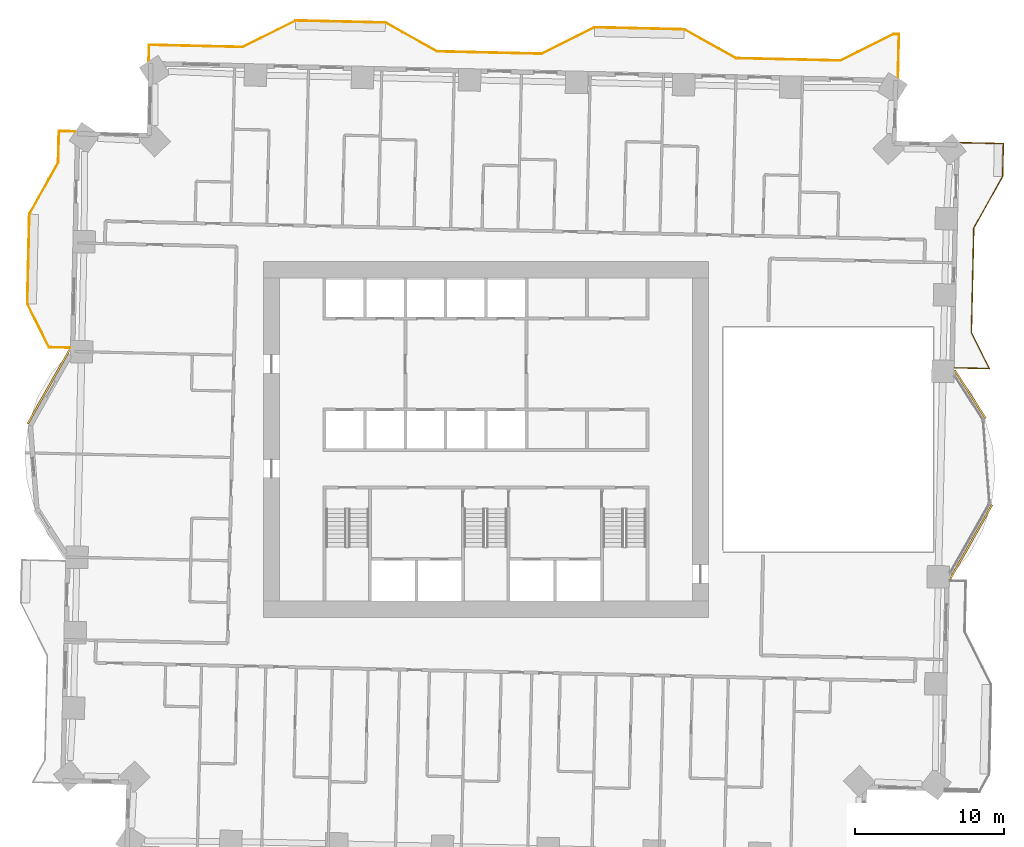
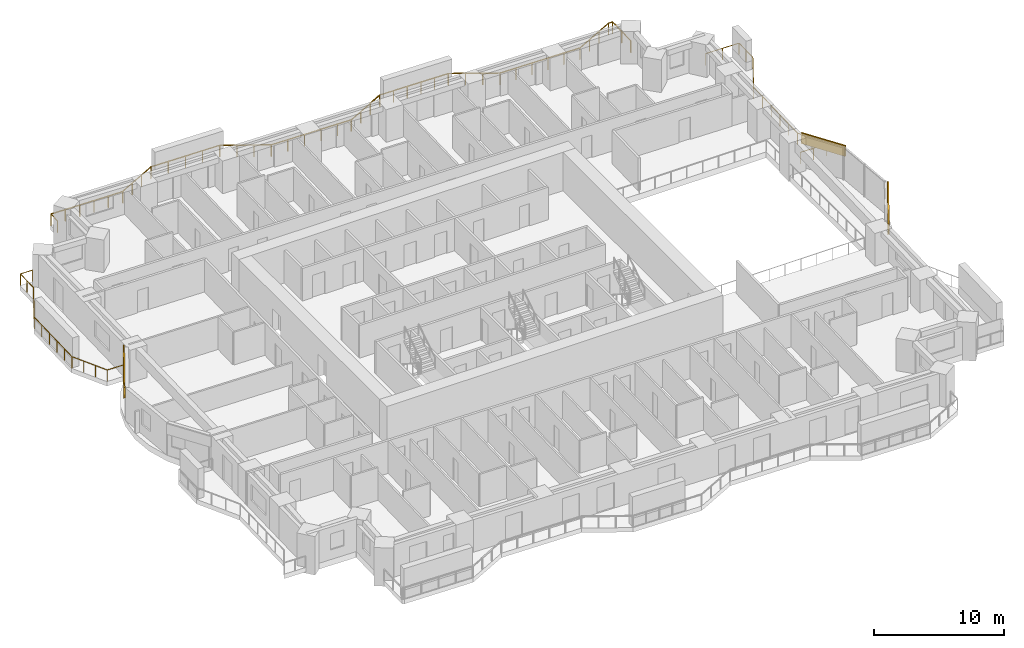
# One storey, part 20 of 20: 3 coverings, 3 railings.
"""IFC4 building model written with IfcOpenShell, lengths in metres."""

from ifc_helpers import new_model, si_unit, direction, frame, frame_2d, origin, origin_2d, place, context, subcontext, project, spatial, rectangle, extrude, material, layer, layer_set, type_object, element, save


model = new_model("IFC4")

# Units and contexts
model_context = context("Model", 3, precision=1e-05, world=origin(), true_north=direction((0.0, 1.0)))
body_context = subcontext(model_context, "Body", "Model", "MODEL_VIEW")
ifc_project = project(units=[si_unit("LENGTHUNIT", "METRE"), si_unit("AREAUNIT", "SQUARE_METRE"), si_unit("VOLUMEUNIT", "CUBIC_METRE"), si_unit("PLANEANGLEUNIT", "RADIAN"), si_unit("MASSUNIT", "GRAM", prefix="KILO")], contexts=[model_context])

# Site, building, storey
site_placement = place(None, origin())
site = spatial("IfcSite", under=ifc_project, at=site_placement, CompositionType="ELEMENT")
building_placement = place(site_placement, origin())
building = spatial("IfcBuilding", under=site, at=building_placement, Name="Mangrove Gate Tower", CompositionType="ELEMENT")
storey_placement = place(building_placement, frame((0.0, 0.0, 60.300048828125)))
storey = spatial("IfcBuildingStorey", under=building, at=storey_placement, Name="L14", CompositionType="ELEMENT", Elevation=60.300048828125)

# Railings
ifc_material_1 = material(Name="Stainless steel grade 316 with laminated glass infill", Category="steel")
railing_type = type_object("IfcRailingType", Name="Balcony guard 1100", PredefinedType="GUARDRAIL", material=ifc_material_1)
railing_1_placement = place(storey_placement, frame((31.362060546875, 4.802001953125, 0.0)))
element("IfcRailing", 1, at=railing_1_placement, inside=storey, type_object=railing_type, Name="GUARD L14 E2", PredefinedType="GUARDRAIL", context=body_context, shape_type="SweptSolid", body=[
    extrude(rectangle(XDim=0.048095703125, YDim=0.048095703125, at=origin_2d()), frame((0.0, 0.0, 1.076171875), z_axis=(0.999738230516, -0.022879476484, 0.0), x_axis=(0.022879476484, 0.999738230516, 0.0)), (0.0, 0.0, 1.0), 2.3154296875),
    extrude(rectangle(XDim=0.048095703125, YDim=0.048095703125, at=origin_2d()), frame((2.31494140625, -0.052978515625, 1.076171875), z_axis=(-0.447031829068, 0.894518051132, 0.0), x_axis=(-0.894518051132, -0.447031829068, 0.0)), (0.0, 0.0, 1.0), 2.6865234375),
    extrude(rectangle(XDim=0.048095703125, YDim=0.048095703125, at=origin_2d()), frame((1.114013671875, 2.35009765625, 1.076171875), z_axis=(0.022566906176, 0.999745334946, 0.0), x_axis=(-0.999745334946, 0.022566906176, 0.0)), (0.0, 0.0, 1.0), 6.99951171875),
    extrude(rectangle(XDim=0.048095703125, YDim=0.048095703125, at=origin_2d()), frame((1.27197265625, 9.347900390625, 1.076171875), z_axis=(0.48726008209, 0.87325689943, 0.0), x_axis=(-0.87325689943, 0.48726008209, 0.0)), (0.0, 0.0, 1.0), 3.958740234375),
    extrude(rectangle(XDim=0.048095703125, YDim=0.048095703125, at=origin_2d()), frame((3.200927734375, 12.804931640625, 1.076171875), z_axis=(0.022744087289, 0.999741319789, 0.0), x_axis=(-0.999741319789, 0.022744087289, 0.0)), (0.0, 0.0, 1.0), 2.200439453125),
    extrude(rectangle(XDim=0.048095703125, YDim=0.048095703125, at=origin_2d()), frame((3.2509765625, 15.0048828125, 1.076171875), z_axis=(-0.999749018963, 0.022403104328, 0.0), x_axis=(-0.022403104328, -0.999749018963, 0.0)), (0.0, 0.0, 1.0), 2.90966796875),
    extrude(rectangle(XDim=0.0419921875, YDim=0.0419921875, at=origin_2d()), origin(), (0.0, 0.0, 1.0), 1.052001953125),
    extrude(rectangle(XDim=0.0419921875, YDim=0.0419921875, at=origin_2d()), frame((1.157470703125, -0.0263671875, 0.0)), (0.0, 0.0, 1.0), 1.052001953125),
    extrude(rectangle(XDim=0.0419921875, YDim=0.0419921875, at=origin_2d()), frame((2.31494140625, -0.052978515625, 0.0)), (0.0, 0.0, 1.0), 1.052001953125),
    extrude(rectangle(XDim=0.0419921875, YDim=0.0419921875, at=origin_2d()), frame((1.71435546875, 1.1484375, 0.0)), (0.0, 0.0, 1.0), 1.052001953125),
    extrude(rectangle(XDim=0.0419921875, YDim=0.0419921875, at=origin_2d()), frame((1.114013671875, 2.35009765625, 0.0)), (0.0, 0.0, 1.0), 1.052001953125),
    extrude(rectangle(XDim=0.0419921875, YDim=0.0419921875, at=origin_2d()), frame((1.1455078125, 3.749755859375, 0.0)), (0.0, 0.0, 1.0), 1.052001953125),
    extrude(rectangle(XDim=0.0419921875, YDim=0.0419921875, at=origin_2d()), frame((1.17724609375, 5.149169921875, 0.0)), (0.0, 0.0, 1.0), 1.052001953125),
    extrude(rectangle(XDim=0.0419921875, YDim=0.0419921875, at=origin_2d()), frame((1.208740234375, 6.548828125, 0.0)), (0.0, 0.0, 1.0), 1.052001953125),
    extrude(rectangle(XDim=0.0419921875, YDim=0.0419921875, at=origin_2d()), frame((1.240478515625, 7.9482421875, 0.0)), (0.0, 0.0, 1.0), 1.052001953125),
    extrude(rectangle(XDim=0.0419921875, YDim=0.0419921875, at=origin_2d()), frame((1.27197265625, 9.347900390625, 0.0)), (0.0, 0.0, 1.0), 1.052001953125),
    extrude(rectangle(XDim=0.0419921875, YDim=0.0419921875, at=origin_2d()), frame((1.9150390625, 10.500244140625, 0.0)), (0.0, 0.0, 1.0), 1.052001953125),
    extrude(rectangle(XDim=0.0419921875, YDim=0.0419921875, at=origin_2d()), frame((2.557861328125, 11.652587890625, 0.0)), (0.0, 0.0, 1.0), 1.052001953125),
    extrude(rectangle(XDim=0.0419921875, YDim=0.0419921875, at=origin_2d()), frame((3.200927734375, 12.804931640625, 0.0)), (0.0, 0.0, 1.0), 1.052001953125),
    extrude(rectangle(XDim=0.0419921875, YDim=0.0419921875, at=origin_2d()), frame((3.22607421875, 13.90478515625, 0.0)), (0.0, 0.0, 1.0), 1.052001953125),
    extrude(rectangle(XDim=0.0419921875, YDim=0.0419921875, at=origin_2d()), frame((3.2509765625, 15.0048828125, 0.0)), (0.0, 0.0, 1.0), 1.052001953125),
    extrude(rectangle(XDim=0.0419921875, YDim=0.0419921875, at=origin_2d()), frame((1.79638671875, 15.03759765625, 0.0)), (0.0, 0.0, 1.0), 1.052001953125),
    extrude(rectangle(XDim=0.0419921875, YDim=0.0419921875, at=origin_2d()), frame((0.342041015625, 15.070068359375, 0.0)), (0.0, 0.0, 1.0), 1.052001953125),
])
railing_2_placement = place(storey_placement, frame((27.56103515625, 24.2080078125, 0.0)))
element("IfcRailing", 2, at=railing_2_placement, inside=storey, type_object=railing_type, Name="GUARD L14 N1", PredefinedType="GUARDRAIL", context=body_context, shape_type="SweptSolid", body=[
    extrude(rectangle(XDim=0.048095703125, YDim=0.048095703125, at=origin_2d()), frame((0.0, 0.0, 1.076171875), z_axis=(0.022654696127, 0.999743349437, 0.0), x_axis=(-0.999743349437, 0.022654696127, 0.0)), (0.0, 0.0, 1.0), 2.90966796875),
    extrude(rectangle(XDim=0.048095703125, YDim=0.048095703125, at=origin_2d()), frame((0.06591796875, 2.908935546875, 1.076171875), z_axis=(-0.999760329145, 0.021892561952, 0.0), x_axis=(-0.021892561952, -0.999760329145, 0.0)), (0.0, 0.0, 1.0), 0.367919921875),
    extrude(rectangle(XDim=0.048095703125, YDim=0.048095703125, at=origin_2d()), frame((-0.302001953125, 2.9169921875, 1.076171875), z_axis=(-0.894476522376, -0.447114919141, 0.0), x_axis=(0.447114919141, -0.894476522376, 0.0)), (0.0, 0.0, 1.0), 3.958740234375),
    extrude(rectangle(XDim=0.048095703125, YDim=0.048095703125, at=origin_2d()), frame((-3.843017578125, 1.14697265625, 1.076171875), z_axis=(-0.999742195543, 0.022705559911, 0.0), x_axis=(-0.022705559911, -0.999742195543, 0.0)), (0.0, 0.0, 1.0), 6.999755859375),
    extrude(rectangle(XDim=0.048095703125, YDim=0.048095703125, at=origin_2d()), frame((-10.841064453125, 1.305908203125, 1.076171875), z_axis=(-0.873230657876, 0.487307108654, 0.0), x_axis=(-0.487307108654, -0.873230657876, 0.0)), (0.0, 0.0, 1.0), 3.958984375),
    extrude(rectangle(XDim=0.048095703125, YDim=0.048095703125, at=origin_2d()), frame((-14.298095703125, 3.235107421875, 1.076171875), z_axis=(-0.999743178102, 0.022662255828, 0.0), x_axis=(-0.022662255828, -0.999743178102, 0.0)), (0.0, 0.0, 1.0), 6.00048828125),
    extrude(rectangle(XDim=0.048095703125, YDim=0.048095703125, at=origin_2d()), frame((-20.297119140625, 3.37109375, 1.076171875), z_axis=(-0.894476522376, -0.447114919141, 0.0), x_axis=(0.447114919141, -0.894476522376, 0.0)), (0.0, 0.0, 1.0), 3.958740234375),
    extrude(rectangle(XDim=0.048095703125, YDim=0.048095703125, at=origin_2d()), frame((-23.838134765625, 1.60107421875, 1.076171875), z_axis=(-0.999749243541, 0.022393080185, 0.0), x_axis=(-0.022393080185, -0.999749243541, 0.0)), (0.0, 0.0, 1.0), 1.19921875),
    extrude(rectangle(XDim=0.048095703125, YDim=0.048095703125, at=origin_2d()), frame((-25.037109375, 1.6279296875, 1.076171875), z_axis=(-0.999740704354, 0.022771123318, 0.0), x_axis=(-0.022771123318, -0.999740704354, 0.0)), (0.0, 0.0, 1.0), 5.80029296875),
    extrude(rectangle(XDim=0.048095703125, YDim=0.048095703125, at=origin_2d()), frame((-30.8359375, 1.760009765625, 1.076171875), z_axis=(-0.87325689943, 0.48726008209, 0.0), x_axis=(-0.48726008209, -0.87325689943, 0.0)), (0.0, 0.0, 1.0), 3.958740234375),
    extrude(rectangle(XDim=0.048095703125, YDim=0.048095703125, at=origin_2d()), frame((-34.29296875, 3.68896484375, 1.076171875), z_axis=(-0.999743094499, 0.022665943652, 0.0), x_axis=(-0.022665943652, -0.999743094499, 0.0)), (0.0, 0.0, 1.0), 5.99951171875),
    extrude(rectangle(XDim=0.048095703125, YDim=0.048095703125, at=origin_2d()), frame((-40.291015625, 3.824951171875, 1.076171875), z_axis=(-0.894476522376, -0.447114919141, 0.0), x_axis=(0.447114919141, -0.894476522376, 0.0)), (0.0, 0.0, 1.0), 3.958740234375),
    extrude(rectangle(XDim=0.048095703125, YDim=0.048095703125, at=origin_2d()), frame((-43.83203125, 2.054931640625, 1.076171875), z_axis=(-0.999743080633, 0.022666555237, 0.0), x_axis=(-0.022666555237, -0.999743080633, 0.0)), (0.0, 0.0, 1.0), 6.268798828125),
    extrude(rectangle(XDim=0.048095703125, YDim=0.048095703125, at=origin_2d()), frame((-50.09912109375, 2.197021484375, 1.076171875), z_axis=(-0.022564497502, -0.999745389313, 0.0), x_axis=(0.999745389313, -0.022564497502, 0.0)), (0.0, 0.0, 1.0), 1.060302734375),
    extrude(rectangle(XDim=0.0419921875, YDim=0.0419921875, at=origin_2d()), origin(), (0.0, 0.0, 1.0), 1.052001953125),
    extrude(rectangle(XDim=0.0419921875, YDim=0.0419921875, at=origin_2d()), frame((0.032958984375, 1.45458984375, 0.0)), (0.0, 0.0, 1.0), 1.052001953125),
    extrude(rectangle(XDim=0.0419921875, YDim=0.0419921875, at=origin_2d()), frame((0.06591796875, 2.908935546875, 0.0)), (0.0, 0.0, 1.0), 1.052001953125),
    extrude(rectangle(XDim=0.0419921875, YDim=0.0419921875, at=origin_2d()), frame((-0.302001953125, 2.9169921875, 0.0)), (0.0, 0.0, 1.0), 1.052001953125),
    extrude(rectangle(XDim=0.0419921875, YDim=0.0419921875, at=origin_2d()), frame((-1.482421875, 2.326904296875, 0.0)), (0.0, 0.0, 1.0), 1.052001953125),
    extrude(rectangle(XDim=0.0419921875, YDim=0.0419921875, at=origin_2d()), frame((-2.66259765625, 1.737060546875, 0.0)), (0.0, 0.0, 1.0), 1.052001953125),
    extrude(rectangle(XDim=0.0419921875, YDim=0.0419921875, at=origin_2d()), frame((-3.843017578125, 1.14697265625, 0.0)), (0.0, 0.0, 1.0), 1.052001953125),
    extrude(rectangle(XDim=0.0419921875, YDim=0.0419921875, at=origin_2d()), frame((-5.24267578125, 1.1787109375, 0.0)), (0.0, 0.0, 1.0), 1.052001953125),
    extrude(rectangle(XDim=0.0419921875, YDim=0.0419921875, at=origin_2d()), frame((-6.642333984375, 1.21044921875, 0.0)), (0.0, 0.0, 1.0), 1.052001953125),
    extrude(rectangle(XDim=0.0419921875, YDim=0.0419921875, at=origin_2d()), frame((-8.041748046875, 1.242431640625, 0.0)), (0.0, 0.0, 1.0), 1.052001953125),
    extrude(rectangle(XDim=0.0419921875, YDim=0.0419921875, at=origin_2d()), frame((-9.44140625, 1.274169921875, 0.0)), (0.0, 0.0, 1.0), 1.052001953125),
    extrude(rectangle(XDim=0.0419921875, YDim=0.0419921875, at=origin_2d()), frame((-10.841064453125, 1.305908203125, 0.0)), (0.0, 0.0, 1.0), 1.052001953125),
    extrude(rectangle(XDim=0.0419921875, YDim=0.0419921875, at=origin_2d()), frame((-11.993408203125, 1.948974609375, 0.0)), (0.0, 0.0, 1.0), 1.052001953125),
    extrude(rectangle(XDim=0.0419921875, YDim=0.0419921875, at=origin_2d()), frame((-13.145751953125, 2.592041015625, 0.0)), (0.0, 0.0, 1.0), 1.052001953125),
    extrude(rectangle(XDim=0.0419921875, YDim=0.0419921875, at=origin_2d()), frame((-14.298095703125, 3.235107421875, 0.0)), (0.0, 0.0, 1.0), 1.052001953125),
    extrude(rectangle(XDim=0.0419921875, YDim=0.0419921875, at=origin_2d()), frame((-15.497802734375, 3.26220703125, 0.0)), (0.0, 0.0, 1.0), 1.052001953125),
    extrude(rectangle(XDim=0.0419921875, YDim=0.0419921875, at=origin_2d()), frame((-16.69775390625, 3.28955078125, 0.0)), (0.0, 0.0, 1.0), 1.052001953125),
    extrude(rectangle(XDim=0.0419921875, YDim=0.0419921875, at=origin_2d()), frame((-17.8974609375, 3.316650390625, 0.0)), (0.0, 0.0, 1.0), 1.052001953125),
    extrude(rectangle(XDim=0.0419921875, YDim=0.0419921875, at=origin_2d()), frame((-19.097412109375, 3.343994140625, 0.0)), (0.0, 0.0, 1.0), 1.052001953125),
    extrude(rectangle(XDim=0.0419921875, YDim=0.0419921875, at=origin_2d()), frame((-20.297119140625, 3.37109375, 0.0)), (0.0, 0.0, 1.0), 1.052001953125),
    extrude(rectangle(XDim=0.0419921875, YDim=0.0419921875, at=origin_2d()), frame((-21.4775390625, 2.781005859375, 0.0)), (0.0, 0.0, 1.0), 1.052001953125),
    extrude(rectangle(XDim=0.0419921875, YDim=0.0419921875, at=origin_2d()), frame((-22.65771484375, 2.191162109375, 0.0)), (0.0, 0.0, 1.0), 1.052001953125),
    extrude(rectangle(XDim=0.0419921875, YDim=0.0419921875, at=origin_2d()), frame((-23.838134765625, 1.60107421875, 0.0)), (0.0, 0.0, 1.0), 1.052001953125),
    extrude(rectangle(XDim=0.0419921875, YDim=0.0419921875, at=origin_2d()), frame((-25.037109375, 1.6279296875, 0.0)), (0.0, 0.0, 1.0), 1.052001953125),
    extrude(rectangle(XDim=0.0419921875, YDim=0.0419921875, at=origin_2d()), frame((-26.48681640625, 1.660888671875, 0.0)), (0.0, 0.0, 1.0), 1.052001953125),
    extrude(rectangle(XDim=0.0419921875, YDim=0.0419921875, at=origin_2d()), frame((-27.9365234375, 1.69384765625, 0.0)), (0.0, 0.0, 1.0), 1.052001953125),
    extrude(rectangle(XDim=0.0419921875, YDim=0.0419921875, at=origin_2d()), frame((-29.38623046875, 1.72705078125, 0.0)), (0.0, 0.0, 1.0), 1.052001953125),
    extrude(rectangle(XDim=0.0419921875, YDim=0.0419921875, at=origin_2d()), frame((-30.8359375, 1.760009765625, 0.0)), (0.0, 0.0, 1.0), 1.052001953125),
    extrude(rectangle(XDim=0.0419921875, YDim=0.0419921875, at=origin_2d()), frame((-31.98828125, 2.403076171875, 0.0)), (0.0, 0.0, 1.0), 1.052001953125),
    extrude(rectangle(XDim=0.0419921875, YDim=0.0419921875, at=origin_2d()), frame((-33.140625, 3.0458984375, 0.0)), (0.0, 0.0, 1.0), 1.052001953125),
    extrude(rectangle(XDim=0.0419921875, YDim=0.0419921875, at=origin_2d()), frame((-34.29296875, 3.68896484375, 0.0)), (0.0, 0.0, 1.0), 1.052001953125),
    extrude(rectangle(XDim=0.0419921875, YDim=0.0419921875, at=origin_2d()), frame((-35.79248046875, 3.722900390625, 0.0)), (0.0, 0.0, 1.0), 1.052001953125),
    extrude(rectangle(XDim=0.0419921875, YDim=0.0419921875, at=origin_2d()), frame((-37.2919921875, 3.7568359375, 0.0)), (0.0, 0.0, 1.0), 1.052001953125),
    extrude(rectangle(XDim=0.0419921875, YDim=0.0419921875, at=origin_2d()), frame((-38.79150390625, 3.791015625, 0.0)), (0.0, 0.0, 1.0), 1.052001953125),
    extrude(rectangle(XDim=0.0419921875, YDim=0.0419921875, at=origin_2d()), frame((-40.291015625, 3.824951171875, 0.0)), (0.0, 0.0, 1.0), 1.052001953125),
    extrude(rectangle(XDim=0.0419921875, YDim=0.0419921875, at=origin_2d()), frame((-41.471435546875, 3.23486328125, 0.0)), (0.0, 0.0, 1.0), 1.052001953125),
    extrude(rectangle(XDim=0.0419921875, YDim=0.0419921875, at=origin_2d()), frame((-42.651611328125, 2.64501953125, 0.0)), (0.0, 0.0, 1.0), 1.052001953125),
    extrude(rectangle(XDim=0.0419921875, YDim=0.0419921875, at=origin_2d()), frame((-43.83203125, 2.054931640625, 0.0)), (0.0, 0.0, 1.0), 1.052001953125),
    extrude(rectangle(XDim=0.0419921875, YDim=0.0419921875, at=origin_2d()), frame((-45.08544921875, 2.083251953125, 0.0)), (0.0, 0.0, 1.0), 1.052001953125),
    extrude(rectangle(XDim=0.0419921875, YDim=0.0419921875, at=origin_2d()), frame((-46.3388671875, 2.11181640625, 0.0)), (0.0, 0.0, 1.0), 1.052001953125),
    extrude(rectangle(XDim=0.0419921875, YDim=0.0419921875, at=origin_2d()), frame((-47.59228515625, 2.14013671875, 0.0)), (0.0, 0.0, 1.0), 1.052001953125),
    extrude(rectangle(XDim=0.0419921875, YDim=0.0419921875, at=origin_2d()), frame((-48.845703125, 2.168701171875, 0.0)), (0.0, 0.0, 1.0), 1.052001953125),
    extrude(rectangle(XDim=0.0419921875, YDim=0.0419921875, at=origin_2d()), frame((-50.09912109375, 2.197021484375, 0.0)), (0.0, 0.0, 1.0), 1.052001953125),
    extrude(rectangle(XDim=0.0419921875, YDim=0.0419921875, at=origin_2d()), frame((-50.123046875, 1.136962890625, 0.0)), (0.0, 0.0, 1.0), 1.052001953125),
])
railing_3_placement = place(storey_placement, frame((-27.510009765625, 20.615966796875, 0.0)))
element("IfcRailing", 3, at=railing_3_placement, inside=storey, type_object=railing_type, Name="GUARD L14 W1", PredefinedType="GUARDRAIL", context=body_context, shape_type="SweptSolid", body=[
    extrude(rectangle(XDim=0.048095703125, YDim=0.048095703125, at=origin_2d()), frame((0.0, 0.0, 1.076171875), z_axis=(-0.999745389313, 0.022564497502, 0.0), x_axis=(-0.022564497502, -0.999745389313, 0.0)), (0.0, 0.0, 1.0), 1.060302734375),
    extrude(rectangle(XDim=0.048095703125, YDim=0.048095703125, at=origin_2d()), frame((-1.06005859375, 0.02392578125, 1.076171875), z_axis=(-0.022792727877, -0.999740212033, 0.0), x_axis=(0.999740212033, -0.022792727877, 0.0)), (0.0, 0.0, 1.0), 2.099365234375),
    extrude(rectangle(XDim=0.048095703125, YDim=0.048095703125, at=origin_2d()), frame((-1.10791015625, -2.074951171875, 1.076171875), z_axis=(-0.487307108654, -0.873230657876, 0.0), x_axis=(0.873230657876, -0.487307108654, 0.0)), (0.0, 0.0, 1.0), 3.958984375),
    extrude(rectangle(XDim=0.048095703125, YDim=0.048095703125, at=origin_2d()), frame((-3.037109375, -5.531982421875, 1.076171875), z_axis=(-0.022662255828, -0.999743178102, 0.0), x_axis=(0.999743178102, -0.022662255828, 0.0)), (0.0, 0.0, 1.0), 6.00048828125),
    extrude(rectangle(XDim=0.048095703125, YDim=0.048095703125, at=origin_2d()), frame((-3.173095703125, -11.531005859375, 1.076171875), z_axis=(0.447243631758, -0.894412172241, 0.0), x_axis=(0.894412172241, 0.447243631758, 0.0)), (0.0, 0.0, 1.0), 3.251220703125),
    extrude(rectangle(XDim=0.048095703125, YDim=0.048095703125, at=origin_2d()), frame((-1.718994140625, -14.43896484375, 1.076171875), z_axis=(0.999735358589, -0.023004625325, 0.0), x_axis=(0.023004625325, 0.999735358589, 0.0)), (0.0, 0.0, 1.0), 1.390380859375),
    extrude(rectangle(XDim=0.0419921875, YDim=0.0419921875, at=origin_2d()), origin(), (0.0, 0.0, 1.0), 1.052001953125),
    extrude(rectangle(XDim=0.0419921875, YDim=0.0419921875, at=origin_2d()), frame((-1.06005859375, 0.02392578125, 0.0)), (0.0, 0.0, 1.0), 1.052001953125),
    extrude(rectangle(XDim=0.0419921875, YDim=0.0419921875, at=origin_2d()), frame((-1.083984375, -1.025390625, 0.0)), (0.0, 0.0, 1.0), 1.052001953125),
    extrude(rectangle(XDim=0.0419921875, YDim=0.0419921875, at=origin_2d()), frame((-1.10791015625, -2.074951171875, 0.0)), (0.0, 0.0, 1.0), 1.052001953125),
    extrude(rectangle(XDim=0.0419921875, YDim=0.0419921875, at=origin_2d()), frame((-1.7509765625, -3.227294921875, 0.0)), (0.0, 0.0, 1.0), 1.052001953125),
    extrude(rectangle(XDim=0.0419921875, YDim=0.0419921875, at=origin_2d()), frame((-2.39404296875, -4.379638671875, 0.0)), (0.0, 0.0, 1.0), 1.052001953125),
    extrude(rectangle(XDim=0.0419921875, YDim=0.0419921875, at=origin_2d()), frame((-3.037109375, -5.531982421875, 0.0)), (0.0, 0.0, 1.0), 1.052001953125),
    extrude(rectangle(XDim=0.0419921875, YDim=0.0419921875, at=origin_2d()), frame((-3.064208984375, -6.731689453125, 0.0)), (0.0, 0.0, 1.0), 1.052001953125),
    extrude(rectangle(XDim=0.0419921875, YDim=0.0419921875, at=origin_2d()), frame((-3.091552734375, -7.931640625, 0.0)), (0.0, 0.0, 1.0), 1.052001953125),
    extrude(rectangle(XDim=0.0419921875, YDim=0.0419921875, at=origin_2d()), frame((-3.11865234375, -9.13134765625, 0.0)), (0.0, 0.0, 1.0), 1.052001953125),
    extrude(rectangle(XDim=0.0419921875, YDim=0.0419921875, at=origin_2d()), frame((-3.14599609375, -10.331298828125, 0.0)), (0.0, 0.0, 1.0), 1.052001953125),
    extrude(rectangle(XDim=0.0419921875, YDim=0.0419921875, at=origin_2d()), frame((-3.173095703125, -11.531005859375, 0.0)), (0.0, 0.0, 1.0), 1.052001953125),
    extrude(rectangle(XDim=0.0419921875, YDim=0.0419921875, at=origin_2d()), frame((-2.6884765625, -12.500244140625, 0.0)), (0.0, 0.0, 1.0), 1.052001953125),
    extrude(rectangle(XDim=0.0419921875, YDim=0.0419921875, at=origin_2d()), frame((-2.20361328125, -13.4697265625, 0.0)), (0.0, 0.0, 1.0), 1.052001953125),
    extrude(rectangle(XDim=0.0419921875, YDim=0.0419921875, at=origin_2d()), frame((-1.718994140625, -14.43896484375, 0.0)), (0.0, 0.0, 1.0), 1.052001953125),
    extrude(rectangle(XDim=0.0419921875, YDim=0.0419921875, at=origin_2d()), frame((-0.3291015625, -14.470947265625, 0.0)), (0.0, 0.0, 1.0), 1.052001953125),
])

# Coverings
ifc_material_2 = material(Name="Limestone", Category="masonry")
ifc_layer_1 = layer(ifc_material_2, 0.0400390625, Name="Limestone cladding")
ifc_material_3 = material(Name="Stainless steel anchors and cavity", Category="steel")
ifc_layer_2 = layer(ifc_material_3, 0.080078125, Name="Fixing cavity")
ifc_layer_set = layer_set([ifc_layer_1, ifc_layer_2], Name="Joint fascia cladding 120")
covering_type = type_object("IfcCoveringType", Name="Joint fascia cladding 120", PredefinedType="CLADDING", material=ifc_layer_set)
covering_1_placement = place(storey_placement, frame((31.052001953125, -9.320068359375, 2.050048828125), z_axis=(0.0, 0.0, 1.0), x_axis=(0.492549299416, 0.870284544069, 0.0)))
element("IfcCovering", 4, at=covering_1_placement, inside=storey, type_object=covering_type, Name="STONE FASCIA L14 E1.L1", PredefinedType="CLADDING", context=body_context, shape_type="SweptSolid", body=[
    extrude(rectangle(XDim=5.705078125, YDim=0.1201171875, at=frame_2d((2.8525390625, 0.0))), origin(), (0.0, 0.0, 1.0), 1.0),
])
covering_2_placement = place(storey_placement, frame((33.426025390625, 1.4189453125, 2.050048828125), z_axis=(0.0, 0.0, 1.0), x_axis=(-0.540457066708, 0.841371593914, 0.0)))
element("IfcCovering", 5, at=covering_2_placement, inside=storey, type_object=covering_type, Name="STONE FASCIA L14 E1.L2", PredefinedType="CLADDING", context=body_context, shape_type="SweptSolid", body=[
    extrude(rectangle(XDim=3.81884765625, YDim=0.1201171875, at=frame_2d((1.909423828125, 0.0))), origin(), (0.0, 0.0, 1.0), 1.0),
])
covering_3_placement = place(storey_placement, frame((-27.85205078125, 6.02001953125, 2.050048828125), z_axis=(0.0, 0.0, 1.0), x_axis=(-0.492549299416, -0.870284544069, 0.0)))
element("IfcCovering", 6, at=covering_3_placement, inside=storey, type_object=covering_type, Name="STONE FASCIA L14 W9.L1", PredefinedType="CLADDING", context=body_context, shape_type="SweptSolid", body=[
    extrude(rectangle(XDim=5.705078125, YDim=0.1201171875, at=frame_2d((2.8525390625, 0.0))), origin(), (0.0, 0.0, 1.0), 1.0),
])

save(model, "model.ifc")
